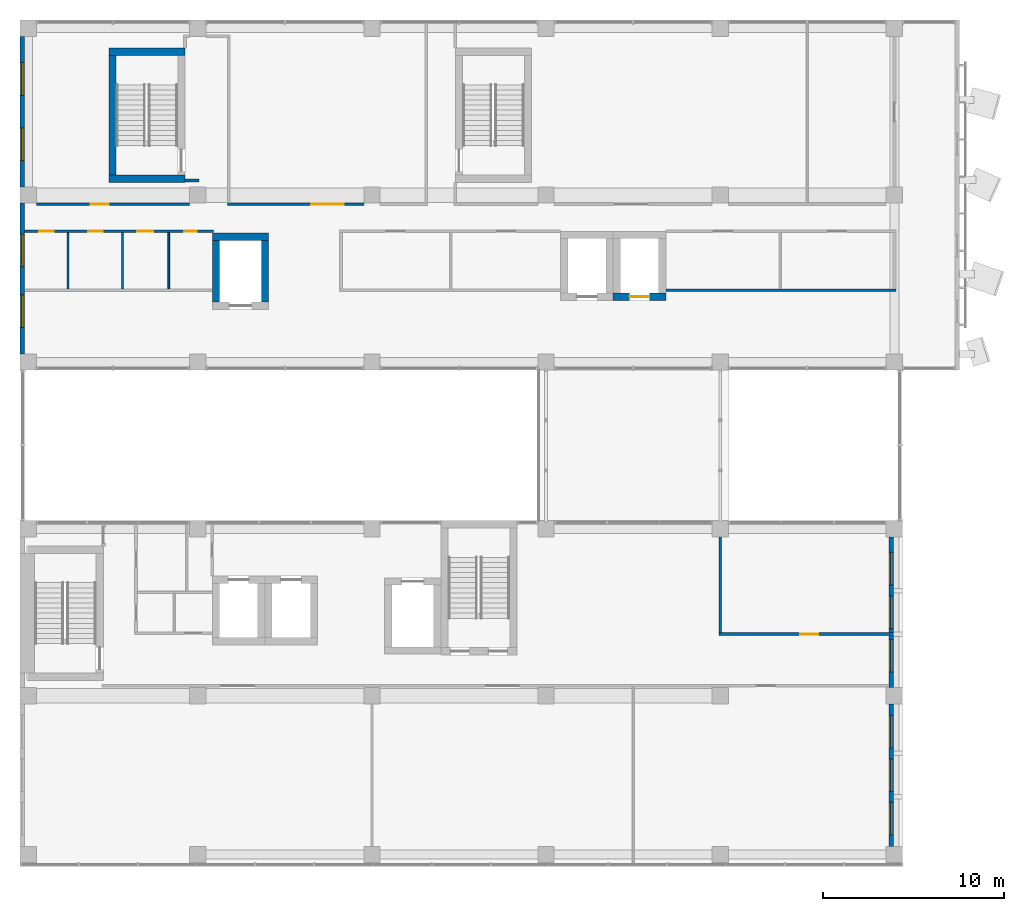
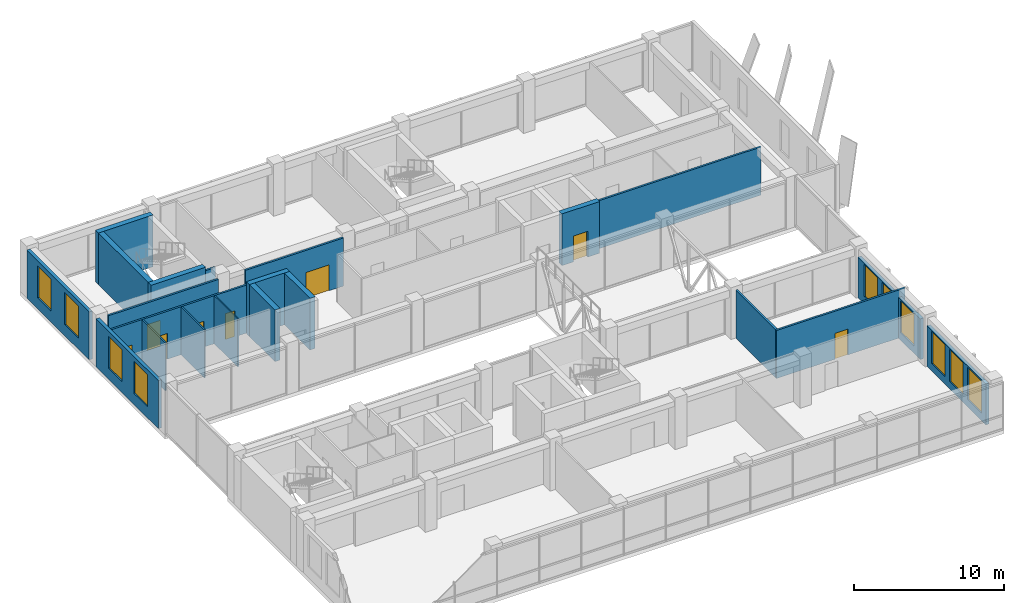
# One storey, part 30 of 38: 21 walls, 10 windows, 8 doors, 18 openings.
"""IFC4 building model written with IfcOpenShell, lengths in metres."""

from ifc_helpers import new_model, si_unit, direction, frame, frame_2d, origin, place, context, subcontext, project, spatial, rectangle, extrude, material, layer, layer_set, layer_usage, type_object, element, fill, save


model = new_model("IFC4")

# Units and contexts
model_context = context("Model", 3, precision=1e-05, world=origin(), true_north=direction((0.0, 1.0)))
body_context = subcontext(model_context, "Body", "Model", "MODEL_VIEW")
ifc_project = project(units=[si_unit("LENGTHUNIT", "METRE"), si_unit("AREAUNIT", "SQUARE_METRE"), si_unit("VOLUMEUNIT", "CUBIC_METRE"), si_unit("PLANEANGLEUNIT", "RADIAN"), si_unit("MASSUNIT", "GRAM", prefix="KILO")], contexts=[model_context])

# Site, building, storey
site_placement = place(None, origin())
site = spatial("IfcSite", under=ifc_project, at=site_placement, CompositionType="ELEMENT")
building_placement = place(site_placement, origin())
building = spatial("IfcBuilding", under=site, at=building_placement, Name="Nzadi Deep Aquarium and Research Tower", CompositionType="ELEMENT")
storey_placement = place(building_placement, frame((0.0, 0.0, 65.5)))
storey = spatial("IfcBuildingStorey", under=building, at=storey_placement, Name="L13", CompositionType="ELEMENT", Elevation=65.5)

# Wall, openings, windows
ifc_material_1 = material(Name="Concrete C35/45", Category="concrete")
ifc_layer_1 = layer(ifc_material_1, 0.14990234375, Category="cladding")
ifc_material_2 = material(Name="Mineral wool insulation")
ifc_layer_2 = layer(ifc_material_2, 0.070068359375, Category="insulation")
ifc_material_3 = material(Name="Gypsum board lining")
ifc_layer_3 = layer(ifc_material_3, 0.030029296875, Category="lining")
ifc_layer_set_1 = layer_set([ifc_layer_1, ifc_layer_2, ifc_layer_3], Name="Concrete C35/45, Mineral wool insulation, Gypsum board lining")
ifc_layer_usage_1 = layer_usage(ifc_layer_set_1, "AXIS2", "POSITIVE", -0.125)
wall_type_1 = type_object("IfcWallType", Name="End wall board-formed concrete 250", PredefinedType="ELEMENTEDWALL", material=ifc_layer_set_1)
wall_1_placement = place(storey_placement, frame((-0.074462890625, 45.550048828125, 0.0), z_axis=(0.0, 0.0, 1.0), x_axis=(0.0, -1.0, 0.0)))
wall_1 = element("IfcWall", 1, at=wall_1_placement, inside=storey, type_object=wall_type_1, material=ifc_layer_usage_1, Name="End wall blade B west L13", PredefinedType="ELEMENTEDWALL", context=body_context, shape_type="SweptSolid", body=[
    extrude(rectangle(XDim=8.300048828125, YDim=0.25, at=frame_2d((4.14990234375, 0.0))), origin(), (0.0, 0.0, 1.0), 3.89990234375),
])
opening_1_placement = place(wall_1_placement, frame((5.050048828125, 0.0, 0.89990234375)))
opening_1 = element("IfcOpeningElement", 2, at=opening_1_placement, cuts=wall_1, Name="Opening WN01", PredefinedType="OPENING", context=body_context, shape_type="SweptSolid", body=[
    extrude(rectangle(XDim=1.800048828125, YDim=2.60009765625, at=frame_2d((0.89990234375, 1.300048828125))), frame((0.0, 0.135009765625, 0.0), z_axis=(0.0, -1.0, 0.0), x_axis=(1.0, 0.0, 0.0)), (0.0, 0.0, 1.0), 0.27001953125),
])
opening_2_placement = place(wall_1_placement, frame((1.449951171875, 0.0, 0.89990234375)))
opening_2 = element("IfcOpeningElement", 3, at=opening_2_placement, cuts=wall_1, Name="Opening WN01", PredefinedType="OPENING", context=body_context, shape_type="SweptSolid", body=[
    extrude(rectangle(XDim=1.800048828125, YDim=2.60009765625, at=frame_2d((0.89990234375, 1.300048828125))), frame((0.0, 0.135009765625, 0.0), z_axis=(0.0, -1.0, 0.0), x_axis=(1.0, 0.0, 0.0)), (0.0, 0.0, 1.0), 0.27001953125),
])
ifc_material_4 = material(Name="Aluminium window, sage tint glazing", Category="aluminium")
window_type_1 = type_object("IfcWindowType", Name="Slot window 1800x2600 sill 900", PartitioningType="SINGLE_PANEL", PredefinedType="WINDOW", material=ifc_material_4)
window_1_placement = place(opening_1_placement, origin())
window_1 = element("IfcWindow", 4, at=window_1_placement, inside=storey, type_object=window_type_1, Name="Slot window L13 BW", OverallHeight=2.60009765625, OverallWidth=1.800048828125, PartitioningType="SINGLE_PANEL", PredefinedType="WINDOW", context=body_context, shape_type="SweptSolid", body=[
    extrude(rectangle(XDim=1.800048828125, YDim=2.60009765625, at=frame_2d((0.89990234375, 1.300048828125))), frame((0.0, 0.030029296875, 0.0), z_axis=(0.0, -1.0, 0.0), x_axis=(1.0, 0.0, 0.0)), (0.0, 0.0, 1.0), 0.06005859375),
])
fill(opening_1, window_1)
window_2_placement = place(opening_2_placement, origin())
window_2 = element("IfcWindow", 5, at=window_2_placement, inside=storey, type_object=window_type_1, Name="Slot window L13 BW", OverallHeight=2.60009765625, OverallWidth=1.800048828125, PartitioningType="SINGLE_PANEL", PredefinedType="WINDOW", context=body_context, shape_type="SweptSolid", body=[
    extrude(rectangle(XDim=1.800048828125, YDim=2.60009765625, at=frame_2d((0.89990234375, 1.300048828125))), frame((0.0, 0.030029296875, 0.0), z_axis=(0.0, -1.0, 0.0), x_axis=(1.0, 0.0, 0.0)), (0.0, 0.0, 1.0), 0.06005859375),
])
fill(opening_2, window_2)

ifc_layer_4 = layer(ifc_material_1, 0.14990234375, Category="cladding")
ifc_layer_5 = layer(ifc_material_2, 0.070068359375, Category="insulation")
ifc_layer_6 = layer(ifc_material_3, 0.030029296875, Category="lining")
ifc_layer_set_2 = layer_set([ifc_layer_4, ifc_layer_5, ifc_layer_6], Name="Concrete C35/45, Mineral wool insulation, Gypsum board lining")
ifc_layer_usage_2 = layer_usage(ifc_layer_set_2, "AXIS2", "POSITIVE", -0.125)
wall_type_2 = type_object("IfcWallType", Name="End wall board-formed concrete 250, 3.30 m high", PredefinedType="ELEMENTEDWALL", material=ifc_layer_set_2)
wall_2_placement = place(storey_placement, frame((47.824951171875, 9.64990234375, 0.0), z_axis=(0.0, 0.0, 1.0), x_axis=(0.0, 1.0, 0.0)))
wall_2 = element("IfcWall", 6, at=wall_2_placement, inside=storey, type_object=wall_type_2, material=ifc_layer_usage_2, Name="End wall blade A east L13", PredefinedType="ELEMENTEDWALL", context=body_context, shape_type="SweptSolid", body=[
    extrude(rectangle(XDim=8.300048828125, YDim=0.25, at=frame_2d((4.14990234375, 0.0))), origin(), (0.0, 0.0, 1.0), 3.300048828125),
])
opening_3_placement = place(wall_2_placement, frame((0.85009765625, 0.0, 0.60009765625)))
opening_3 = element("IfcOpeningElement", 7, at=opening_3_placement, cuts=wall_2, Name="Opening WN06", PredefinedType="OPENING", context=body_context, shape_type="SweptSolid", body=[
    extrude(rectangle(XDim=1.800048828125, YDim=2.60009765625, at=frame_2d((0.89990234375, 1.300048828125))), frame((0.0, 0.135009765625, 0.0), z_axis=(0.0, -1.0, 0.0), x_axis=(1.0, 0.0, 0.0)), (0.0, 0.0, 1.0), 0.27001953125),
])
opening_4_placement = place(wall_2_placement, frame((3.25, 0.0, 0.60009765625)))
opening_4 = element("IfcOpeningElement", 8, at=opening_4_placement, cuts=wall_2, Name="Opening WN06", PredefinedType="OPENING", context=body_context, shape_type="SweptSolid", body=[
    extrude(rectangle(XDim=1.800048828125, YDim=2.60009765625, at=frame_2d((0.89990234375, 1.300048828125))), frame((0.0, 0.135009765625, 0.0), z_axis=(0.0, -1.0, 0.0), x_axis=(1.0, 0.0, 0.0)), (0.0, 0.0, 1.0), 0.27001953125),
])
opening_5_placement = place(wall_2_placement, frame((5.64990234375, 0.0, 0.60009765625)))
opening_5 = element("IfcOpeningElement", 9, at=opening_5_placement, cuts=wall_2, Name="Opening WN06", PredefinedType="OPENING", context=body_context, shape_type="SweptSolid", body=[
    extrude(rectangle(XDim=1.800048828125, YDim=2.60009765625, at=frame_2d((0.89990234375, 1.300048828125))), frame((0.0, 0.135009765625, 0.0), z_axis=(0.0, -1.0, 0.0), x_axis=(1.0, 0.0, 0.0)), (0.0, 0.0, 1.0), 0.27001953125),
])
ifc_material_5 = material(Name="Aluminium window, sage tint glazing", Category="aluminium")
window_type_2 = type_object("IfcWindowType", Name="Slot window 1800x2600 sill 600", PartitioningType="SINGLE_PANEL", PredefinedType="WINDOW", material=ifc_material_5)
window_3_placement = place(opening_3_placement, origin())
window_3 = element("IfcWindow", 10, at=window_3_placement, inside=storey, type_object=window_type_2, Name="Slot window L13 AE", OverallHeight=2.60009765625, OverallWidth=1.800048828125, PartitioningType="SINGLE_PANEL", PredefinedType="WINDOW", context=body_context, shape_type="SweptSolid", body=[
    extrude(rectangle(XDim=1.800048828125, YDim=2.60009765625, at=frame_2d((0.89990234375, 1.300048828125))), frame((0.0, 0.030029296875, 0.0), z_axis=(0.0, -1.0, 0.0), x_axis=(1.0, 0.0, 0.0)), (0.0, 0.0, 1.0), 0.06005859375),
])
fill(opening_3, window_3)
window_4_placement = place(opening_4_placement, origin())
window_4 = element("IfcWindow", 11, at=window_4_placement, inside=storey, type_object=window_type_2, Name="Slot window L13 AE", OverallHeight=2.60009765625, OverallWidth=1.800048828125, PartitioningType="SINGLE_PANEL", PredefinedType="WINDOW", context=body_context, shape_type="SweptSolid", body=[
    extrude(rectangle(XDim=1.800048828125, YDim=2.60009765625, at=frame_2d((0.89990234375, 1.300048828125))), frame((0.0, 0.030029296875, 0.0), z_axis=(0.0, -1.0, 0.0), x_axis=(1.0, 0.0, 0.0)), (0.0, 0.0, 1.0), 0.06005859375),
])
fill(opening_4, window_4)
window_5_placement = place(opening_5_placement, origin())
window_5 = element("IfcWindow", 12, at=window_5_placement, inside=storey, type_object=window_type_2, Name="Slot window L13 AE", OverallHeight=2.60009765625, OverallWidth=1.800048828125, PartitioningType="SINGLE_PANEL", PredefinedType="WINDOW", context=body_context, shape_type="SweptSolid", body=[
    extrude(rectangle(XDim=1.800048828125, YDim=2.60009765625, at=frame_2d((0.89990234375, 1.300048828125))), frame((0.0, 0.030029296875, 0.0), z_axis=(0.0, -1.0, 0.0), x_axis=(1.0, 0.0, 0.0)), (0.0, 0.0, 1.0), 0.06005859375),
])
fill(opening_5, window_5)

ifc_material_6 = material(Name="Graphite aluminium shingle", Category="aluminium")
ifc_layer_7 = layer(ifc_material_6, 0.050048828125, Category="cladding")
ifc_layer_8 = layer(ifc_material_1, 0.10009765625, Category="cladding")
ifc_layer_9 = layer(ifc_material_2, 0.070068359375, Category="insulation")
ifc_layer_10 = layer(ifc_material_3, 0.030029296875, Category="lining")
ifc_layer_set_3 = layer_set([ifc_layer_7, ifc_layer_8, ifc_layer_9, ifc_layer_10], Name="Graphite aluminium shingle, Concrete C35/45, Mineral wool insulation, Gypsum board lining")
ifc_layer_usage_3 = layer_usage(ifc_layer_set_3, "AXIS2", "POSITIVE", -0.125)
wall_type_3 = type_object("IfcWallType", Name="End wall shingle over board-formed concrete 250", PredefinedType="ELEMENTEDWALL", material=ifc_layer_set_3)
wall_3_placement = place(storey_placement, frame((-0.074462890625, 36.35009765625, 0.0), z_axis=(0.0, 0.0, 1.0), x_axis=(0.0, -1.0, 0.0)))
wall_3 = element("IfcWall", 13, at=wall_3_placement, inside=storey, type_object=wall_type_3, material=ifc_layer_usage_3, Name="End wall blade B west L13", PredefinedType="ELEMENTEDWALL", context=body_context, shape_type="SweptSolid", body=[
    extrude(rectangle(XDim=8.300048828125, YDim=0.25, at=frame_2d((4.14990234375, 0.0))), origin(), (0.0, 0.0, 1.0), 3.89990234375),
])
opening_6_placement = place(wall_3_placement, frame((5.050048828125, 0.0, 0.89990234375)))
opening_6 = element("IfcOpeningElement", 14, at=opening_6_placement, cuts=wall_3, Name="Opening WN01", PredefinedType="OPENING", context=body_context, shape_type="SweptSolid", body=[
    extrude(rectangle(XDim=1.800048828125, YDim=2.60009765625, at=frame_2d((0.89990234375, 1.300048828125))), frame((0.0, 0.135009765625, 0.0), z_axis=(0.0, -1.0, 0.0), x_axis=(1.0, 0.0, 0.0)), (0.0, 0.0, 1.0), 0.27001953125),
])
opening_7_placement = place(wall_3_placement, frame((1.699951171875, 0.0, 0.89990234375)))
opening_7 = element("IfcOpeningElement", 15, at=opening_7_placement, cuts=wall_3, Name="Opening WN01", PredefinedType="OPENING", context=body_context, shape_type="SweptSolid", body=[
    extrude(rectangle(XDim=1.800048828125, YDim=2.60009765625, at=frame_2d((0.89990234375, 1.300048828125))), frame((0.0, 0.135009765625, 0.0), z_axis=(0.0, -1.0, 0.0), x_axis=(1.0, 0.0, 0.0)), (0.0, 0.0, 1.0), 0.27001953125),
])
window_6_placement = place(opening_6_placement, origin())
window_6 = element("IfcWindow", 16, at=window_6_placement, inside=storey, type_object=window_type_1, Name="Slot window L13 BW", OverallHeight=2.60009765625, OverallWidth=1.800048828125, PartitioningType="SINGLE_PANEL", PredefinedType="WINDOW", context=body_context, shape_type="SweptSolid", body=[
    extrude(rectangle(XDim=1.800048828125, YDim=2.60009765625, at=frame_2d((0.89990234375, 1.300048828125))), frame((0.0, 0.030029296875, 0.0), z_axis=(0.0, -1.0, 0.0), x_axis=(1.0, 0.0, 0.0)), (0.0, 0.0, 1.0), 0.06005859375),
])
fill(opening_6, window_6)
window_7_placement = place(opening_7_placement, origin())
window_7 = element("IfcWindow", 17, at=window_7_placement, inside=storey, type_object=window_type_1, Name="Slot window L13 BW", OverallHeight=2.60009765625, OverallWidth=1.800048828125, PartitioningType="SINGLE_PANEL", PredefinedType="WINDOW", context=body_context, shape_type="SweptSolid", body=[
    extrude(rectangle(XDim=1.800048828125, YDim=2.60009765625, at=frame_2d((0.89990234375, 1.300048828125))), frame((0.0, 0.030029296875, 0.0), z_axis=(0.0, -1.0, 0.0), x_axis=(1.0, 0.0, 0.0)), (0.0, 0.0, 1.0), 0.06005859375),
])
fill(opening_7, window_7)

ifc_layer_11 = layer(ifc_material_6, 0.050048828125, Category="cladding")
ifc_layer_12 = layer(ifc_material_1, 0.10009765625, Category="cladding")
ifc_layer_13 = layer(ifc_material_2, 0.070068359375, Category="insulation")
ifc_layer_14 = layer(ifc_material_3, 0.030029296875, Category="lining")
ifc_layer_set_4 = layer_set([ifc_layer_11, ifc_layer_12, ifc_layer_13, ifc_layer_14], Name="Graphite aluminium shingle, Concrete C35/45, Mineral wool insulation, Gypsum board lining")
ifc_layer_usage_4 = layer_usage(ifc_layer_set_4, "AXIS2", "POSITIVE", -0.125)
wall_type_4 = type_object("IfcWallType", Name="End wall shingle over board-formed concrete 250, 3.30 m high", PredefinedType="ELEMENTEDWALL", material=ifc_layer_set_4)
wall_4_placement = place(storey_placement, frame((47.824951171875, 0.89990234375, 0.0), z_axis=(0.0, 0.0, 1.0), x_axis=(0.0, 1.0, 0.0)))
wall_4 = element("IfcWall", 18, at=wall_4_placement, inside=storey, type_object=wall_type_4, material=ifc_layer_usage_4, Name="End wall blade A east L13", PredefinedType="ELEMENTEDWALL", context=body_context, shape_type="SweptSolid", body=[
    extrude(rectangle(XDim=7.85009765625, YDim=0.25, at=frame_2d((3.925048828125, 0.0))), origin(), (0.0, 0.0, 1.0), 3.300048828125),
])
opening_8_placement = place(wall_4_placement, frame((0.625, 0.0, 0.60009765625)))
opening_8 = element("IfcOpeningElement", 19, at=opening_8_placement, cuts=wall_4, Name="Opening WN06", PredefinedType="OPENING", context=body_context, shape_type="SweptSolid", body=[
    extrude(rectangle(XDim=1.800048828125, YDim=2.60009765625, at=frame_2d((0.89990234375, 1.300048828125))), frame((0.0, 0.135009765625, 0.0), z_axis=(0.0, -1.0, 0.0), x_axis=(1.0, 0.0, 0.0)), (0.0, 0.0, 1.0), 0.27001953125),
])
opening_9_placement = place(wall_4_placement, frame((3.02490234375, 0.0, 0.60009765625)))
opening_9 = element("IfcOpeningElement", 20, at=opening_9_placement, cuts=wall_4, Name="Opening WN06", PredefinedType="OPENING", context=body_context, shape_type="SweptSolid", body=[
    extrude(rectangle(XDim=1.800048828125, YDim=2.60009765625, at=frame_2d((0.89990234375, 1.300048828125))), frame((0.0, 0.135009765625, 0.0), z_axis=(0.0, -1.0, 0.0), x_axis=(1.0, 0.0, 0.0)), (0.0, 0.0, 1.0), 0.27001953125),
])
opening_10_placement = place(wall_4_placement, frame((5.425048828125, 0.0, 0.60009765625)))
opening_10 = element("IfcOpeningElement", 21, at=opening_10_placement, cuts=wall_4, Name="Opening WN06", PredefinedType="OPENING", context=body_context, shape_type="SweptSolid", body=[
    extrude(rectangle(XDim=1.800048828125, YDim=2.60009765625, at=frame_2d((0.89990234375, 1.300048828125))), frame((0.0, 0.135009765625, 0.0), z_axis=(0.0, -1.0, 0.0), x_axis=(1.0, 0.0, 0.0)), (0.0, 0.0, 1.0), 0.27001953125),
])
window_8_placement = place(opening_8_placement, origin())
window_8 = element("IfcWindow", 22, at=window_8_placement, inside=storey, type_object=window_type_2, Name="Slot window L13 AE", OverallHeight=2.60009765625, OverallWidth=1.800048828125, PartitioningType="SINGLE_PANEL", PredefinedType="WINDOW", context=body_context, shape_type="SweptSolid", body=[
    extrude(rectangle(XDim=1.800048828125, YDim=2.60009765625, at=frame_2d((0.89990234375, 1.300048828125))), frame((0.0, 0.030029296875, 0.0), z_axis=(0.0, -1.0, 0.0), x_axis=(1.0, 0.0, 0.0)), (0.0, 0.0, 1.0), 0.06005859375),
])
fill(opening_8, window_8)
window_9_placement = place(opening_9_placement, origin())
window_9 = element("IfcWindow", 23, at=window_9_placement, inside=storey, type_object=window_type_2, Name="Slot window L13 AE", OverallHeight=2.60009765625, OverallWidth=1.800048828125, PartitioningType="SINGLE_PANEL", PredefinedType="WINDOW", context=body_context, shape_type="SweptSolid", body=[
    extrude(rectangle(XDim=1.800048828125, YDim=2.60009765625, at=frame_2d((0.89990234375, 1.300048828125))), frame((0.0, 0.030029296875, 0.0), z_axis=(0.0, -1.0, 0.0), x_axis=(1.0, 0.0, 0.0)), (0.0, 0.0, 1.0), 0.06005859375),
])
fill(opening_9, window_9)
window_10_placement = place(opening_10_placement, origin())
window_10 = element("IfcWindow", 24, at=window_10_placement, inside=storey, type_object=window_type_2, Name="Slot window L13 AE", OverallHeight=2.60009765625, OverallWidth=1.800048828125, PartitioningType="SINGLE_PANEL", PredefinedType="WINDOW", context=body_context, shape_type="SweptSolid", body=[
    extrude(rectangle(XDim=1.800048828125, YDim=2.60009765625, at=frame_2d((0.89990234375, 1.300048828125))), frame((0.0, 0.030029296875, 0.0), z_axis=(0.0, -1.0, 0.0), x_axis=(1.0, 0.0, 0.0)), (0.0, 0.0, 1.0), 0.06005859375),
])
fill(opening_10, window_10)

# Walls
ifc_material_7 = material(Name="Blockwork masonry", Category="masonry")
ifc_layer_15 = layer(ifc_material_7, 0.10009765625)
ifc_layer_set_5 = layer_set([ifc_layer_15], Name="Blockwork masonry")
wall_type_5 = type_object("IfcWallType", Name="Partition 100 EI 30", PredefinedType="PARTITIONING", material=ifc_layer_set_5)
for number, where, z_axis, x_axis, name in (
    (25, (2.449951171875, 31.625, 0.0), (0.0, 0.0, 1.0), (0.0, 1.0, 0.0), "W-Z1-L13-P004"),
    (26, (5.449951171875, 31.625, 0.0), (0.0, 0.0, 1.0), (0.0, 1.0, 0.0), "W-Z1-L13-P007"),
    (27, (8.0, 31.625, 0.0), (0.0, 0.0, 1.0), (0.0, 1.0, 0.0), "W-Z1-L13-P011"),
):
    element("IfcWall", number, at=place(storey_placement, frame(where, z_axis=z_axis, x_axis=x_axis)), inside=storey, type_object=wall_type_5, Name=name, PredefinedType="PARTITIONING", context=body_context, shape_type="SweptSolid", body=[
        extrude(rectangle(XDim=3.10009765625, YDim=0.10009765625, at=frame_2d((1.550048828125, 0.0))), origin(), (0.0, 0.0, 1.0), 3.89990234375),
    ])

# Wall, openings, doors
ifc_material_8 = material(Name="Blockwork masonry", Category="masonry")
ifc_layer_16 = layer(ifc_material_8, 0.14990234375)
ifc_layer_set_6 = layer_set([ifc_layer_16], Name="Blockwork masonry")
wall_type_6 = type_object("IfcWallType", Name="Partition 150 EI 60", PredefinedType="PARTITIONING", material=ifc_layer_set_6)
wall_5_placement = place(storey_placement, frame((0.055908203125, 34.800048828125, 0.0), z_axis=(0.0, 0.0, 1.0), x_axis=(1.0, 0.0, 0.0)))
wall_5 = element("IfcWall", 28, at=wall_5_placement, inside=storey, type_object=wall_type_6, Name="W-Z1-L13-P002", PredefinedType="PARTITIONING", context=body_context, shape_type="SweptSolid", body=[
    extrude(rectangle(XDim=10.419189453125, YDim=0.14990234375, at=frame_2d((5.20947265625, 0.0))), origin(), (0.0, 0.0, 1.0), 3.89990234375),
])
opening_11_placement = place(wall_5_placement, frame((0.7939453125, 0.0, 0.0)))
opening_11 = element("IfcOpeningElement", 29, at=opening_11_placement, cuts=wall_5, Name="Opening D141010", PredefinedType="OPENING", context=body_context, shape_type="SweptSolid", body=[
    extrude(rectangle(XDim=0.800048828125, YDim=2.10009765625, at=frame_2d((0.39990234375, 1.050048828125))), frame((0.0, 0.0849609375, 0.0), z_axis=(0.0, -1.0, 0.0), x_axis=(1.0, 0.0, 0.0)), (0.0, 0.0, 1.0), 0.169921875),
])
opening_12_placement = place(wall_5_placement, frame((3.493896484375, 0.0, 0.0)))
opening_12 = element("IfcOpeningElement", 30, at=opening_12_placement, cuts=wall_5, Name="Opening D141011", PredefinedType="OPENING", context=body_context, shape_type="SweptSolid", body=[
    extrude(rectangle(XDim=0.800048828125, YDim=2.10009765625, at=frame_2d((0.39990234375, 1.050048828125))), frame((0.0, 0.0849609375, 0.0), z_axis=(0.0, -1.0, 0.0), x_axis=(1.0, 0.0, 0.0)), (0.0, 0.0, 1.0), 0.169921875),
])
opening_13_placement = place(wall_5_placement, frame((6.194091796875, 0.0, 0.0)))
opening_13 = element("IfcOpeningElement", 31, at=opening_13_placement, cuts=wall_5, Name="Opening D141012", PredefinedType="OPENING", context=body_context, shape_type="SweptSolid", body=[
    extrude(rectangle(XDim=0.89990234375, YDim=2.10009765625, at=frame_2d((0.449951171875, 1.050048828125))), frame((0.0, 0.0849609375, 0.0), z_axis=(0.0, -1.0, 0.0), x_axis=(1.0, 0.0, 0.0)), (0.0, 0.0, 1.0), 0.169921875),
])
opening_14_placement = place(wall_5_placement, frame((8.7939453125, 0.0, 0.0)))
opening_14 = element("IfcOpeningElement", 32, at=opening_14_placement, cuts=wall_5, Name="Opening D141013", PredefinedType="OPENING", context=body_context, shape_type="SweptSolid", body=[
    extrude(rectangle(XDim=0.699951171875, YDim=2.10009765625, at=frame_2d((0.35009765625, 1.050048828125))), frame((0.0, 0.0849609375, 0.0), z_axis=(0.0, -1.0, 0.0), x_axis=(1.0, 0.0, 0.0)), (0.0, 0.0, 1.0), 0.169921875),
])
ifc_material_9 = material(Name="Fire-rated steel door", Category="steel")
ifc_layer_17 = layer(ifc_material_9, 0.050048828125)
ifc_layer_set_7 = layer_set([ifc_layer_17], Name="Fire-rated steel door")
door_type_1 = type_object("IfcDoorType", Name="Door 700x2100 EI 60 single", OperationType="SINGLE_SWING_LEFT", PredefinedType="DOOR", material=ifc_layer_set_7)
door_1_placement = place(opening_14_placement, origin())
door_1 = element("IfcDoor", 33, at=door_1_placement, inside=storey, type_object=door_type_1, Name="D141013", OperationType="SINGLE_SWING_LEFT", OverallHeight=2.10009765625, OverallWidth=0.699951171875, PredefinedType="DOOR", context=body_context, shape_type="SweptSolid", body=[
    extrude(rectangle(XDim=0.699951171875, YDim=2.10009765625, at=frame_2d((0.35009765625, 1.050048828125))), frame((0.0, 0.02490234375, 0.0), z_axis=(0.0, -1.0, 0.0), x_axis=(1.0, 0.0, 0.0)), (0.0, 0.0, 1.0), 0.050048828125),
])
fill(opening_14, door_1)
ifc_material_10 = material(Name="Fire-rated steel door", Category="steel")
ifc_layer_18 = layer(ifc_material_10, 0.050048828125)
ifc_layer_set_8 = layer_set([ifc_layer_18], Name="Fire-rated steel door")
door_type_2 = type_object("IfcDoorType", Name="Door 800x2100 EI 60 single", OperationType="SINGLE_SWING_LEFT", PredefinedType="DOOR", material=ifc_layer_set_8)
door_2_placement = place(opening_11_placement, origin())
door_2 = element("IfcDoor", 34, at=door_2_placement, inside=storey, type_object=door_type_2, Name="D141010", OperationType="SINGLE_SWING_RIGHT", OverallHeight=2.10009765625, OverallWidth=0.800048828125, PredefinedType="DOOR", context=body_context, shape_type="SweptSolid", body=[
    extrude(rectangle(XDim=0.800048828125, YDim=2.10009765625, at=frame_2d((0.39990234375, 1.050048828125))), frame((0.0, 0.02490234375, 0.0), z_axis=(0.0, -1.0, 0.0), x_axis=(1.0, 0.0, 0.0)), (0.0, 0.0, 1.0), 0.050048828125),
])
fill(opening_11, door_2)
door_3_placement = place(opening_12_placement, origin())
door_3 = element("IfcDoor", 35, at=door_3_placement, inside=storey, type_object=door_type_2, Name="D141011", OperationType="SINGLE_SWING_LEFT", OverallHeight=2.10009765625, OverallWidth=0.800048828125, PredefinedType="DOOR", context=body_context, shape_type="SweptSolid", body=[
    extrude(rectangle(XDim=0.800048828125, YDim=2.10009765625, at=frame_2d((0.39990234375, 1.050048828125))), frame((0.0, 0.02490234375, 0.0), z_axis=(0.0, -1.0, 0.0), x_axis=(1.0, 0.0, 0.0)), (0.0, 0.0, 1.0), 0.050048828125),
])
fill(opening_12, door_3)
ifc_material_11 = material(Name="Fire-rated steel door", Category="steel")
ifc_layer_19 = layer(ifc_material_11, 0.050048828125)
ifc_layer_set_9 = layer_set([ifc_layer_19], Name="Fire-rated steel door")
door_type_3 = type_object("IfcDoorType", Name="Door 900x2100 EI 60 single", OperationType="SINGLE_SWING_LEFT", PredefinedType="DOOR", material=ifc_layer_set_9)
door_4_placement = place(opening_13_placement, origin())
door_4 = element("IfcDoor", 36, at=door_4_placement, inside=storey, type_object=door_type_3, Name="D141012", OperationType="SINGLE_SWING_LEFT", OverallHeight=2.10009765625, OverallWidth=0.89990234375, PredefinedType="DOOR", context=body_context, shape_type="SweptSolid", body=[
    extrude(rectangle(XDim=0.89990234375, YDim=2.10009765625, at=frame_2d((0.449951171875, 1.050048828125))), frame((0.0, 0.02490234375, 0.0), z_axis=(0.0, -1.0, 0.0), x_axis=(1.0, 0.0, 0.0)), (0.0, 0.0, 1.0), 0.050048828125),
])
fill(opening_13, door_4)

# Wall, opening, door
wall_6_placement = place(storey_placement, frame((0.699951171875, 36.300048828125, 0.0), z_axis=(0.0, 0.0, 1.0), x_axis=(1.0, 0.0, 0.0)))
wall_6 = element("IfcWall", 37, at=wall_6_placement, inside=storey, type_object=wall_type_6, Name="W-Z1-L13-P003", PredefinedType="PARTITIONING", context=body_context, shape_type="SweptSolid", body=[
    extrude(rectangle(XDim=8.449951171875, YDim=0.14990234375, at=frame_2d((4.22509765625, 0.0))), origin(), (0.0, 0.0, 1.0), 3.89990234375),
])
opening_15_placement = place(wall_6_placement, frame((3.0, 0.0, 0.0)))
opening_15 = element("IfcOpeningElement", 38, at=opening_15_placement, cuts=wall_6, Name="Opening D141018", PredefinedType="OPENING", context=body_context, shape_type="SweptSolid", body=[
    extrude(rectangle(XDim=1.0, YDim=2.10009765625, at=frame_2d((0.5, 1.050048828125))), frame((0.0, 0.0849609375, 0.0), z_axis=(0.0, -1.0, 0.0), x_axis=(1.0, 0.0, 0.0)), (0.0, 0.0, 1.0), 0.169921875),
])
ifc_material_12 = material(Name="Fire-rated steel door", Category="steel")
ifc_layer_20 = layer(ifc_material_12, 0.050048828125)
ifc_layer_set_10 = layer_set([ifc_layer_20], Name="Fire-rated steel door")
door_type_4 = type_object("IfcDoorType", Name="Door 1000x2100 EI 60 single", OperationType="SINGLE_SWING_LEFT", PredefinedType="DOOR", material=ifc_layer_set_10)
door_5_placement = place(opening_15_placement, origin())
door_5 = element("IfcDoor", 39, at=door_5_placement, inside=storey, type_object=door_type_4, Name="D141018", OperationType="SINGLE_SWING_RIGHT", OverallHeight=2.10009765625, OverallWidth=1.0, PredefinedType="DOOR", context=body_context, shape_type="SweptSolid", body=[
    extrude(rectangle(XDim=1.0, YDim=2.10009765625, at=frame_2d((0.5, 1.050048828125))), frame((0.0, 0.02490234375, 0.0), z_axis=(0.0, -1.0, 0.0), x_axis=(1.0, 0.0, 0.0)), (0.0, 0.0, 1.0), 0.050048828125),
])
fill(opening_15, door_5)

# Wall
wall_7_placement = place(storey_placement, frame((8.906005859375, 37.60009765625, 0.0), z_axis=(0.0, 0.0, 1.0), x_axis=(1.0, 0.0, 0.0)))
element("IfcWall", 40, at=wall_7_placement, inside=storey, type_object=wall_type_6, Name="W-Z1-L13-P015", PredefinedType="PARTITIONING", context=body_context, shape_type="SweptSolid", body=[
    extrude(rectangle(XDim=0.76904296875, YDim=0.14990234375, at=frame_2d((0.384521484375, 0.0))), origin(), (0.0, 0.0, 1.0), 3.89990234375),
])

# Wall, opening, door
wall_8_placement = place(storey_placement, frame((11.22509765625, 36.300048828125, 0.0), z_axis=(0.0, 0.0, 1.0), x_axis=(1.0, 0.0, 0.0)))
wall_8 = element("IfcWall", 41, at=wall_8_placement, inside=storey, type_object=wall_type_6, Name="W-Z1-L13-P019", PredefinedType="PARTITIONING", context=body_context, shape_type="SweptSolid", body=[
    extrude(rectangle(XDim=7.52490234375, YDim=0.14990234375, at=frame_2d((3.762451171875, 0.0))), origin(), (0.0, 0.0, 1.0), 3.89990234375),
])
opening_16_placement = place(wall_8_placement, frame((4.625, 0.0, 0.0)))
opening_16 = element("IfcOpeningElement", 42, at=opening_16_placement, cuts=wall_8, Name="Opening D141019", PredefinedType="OPENING", context=body_context, shape_type="SweptSolid", body=[
    extrude(rectangle(XDim=1.800048828125, YDim=2.10009765625, at=frame_2d((0.89990234375, 1.050048828125))), frame((0.0, 0.0849609375, 0.0), z_axis=(0.0, -1.0, 0.0), x_axis=(1.0, 0.0, 0.0)), (0.0, 0.0, 1.0), 0.169921875),
])
ifc_material_13 = material(Name="Fire-rated steel door", Category="steel")
ifc_layer_21 = layer(ifc_material_13, 0.050048828125)
ifc_layer_set_11 = layer_set([ifc_layer_21], Name="Fire-rated steel door")
door_type_5 = type_object("IfcDoorType", Name="Door 1800x2100 EI 60 double", OperationType="DOUBLE_DOOR_SINGLE_SWING", PredefinedType="DOOR", material=ifc_layer_set_11)
door_6_placement = place(opening_16_placement, origin())
door_6 = element("IfcDoor", 43, at=door_6_placement, inside=storey, type_object=door_type_5, Name="D141019", OperationType="DOUBLE_DOOR_SINGLE_SWING", OverallHeight=2.10009765625, OverallWidth=1.800048828125, PredefinedType="DOOR", context=body_context, shape_type="SweptSolid", body=[
    extrude(rectangle(XDim=1.800048828125, YDim=2.10009765625, at=frame_2d((0.89990234375, 1.050048828125))), frame((0.0, 0.02490234375, 0.0), z_axis=(0.0, -1.0, 0.0), x_axis=(1.0, 0.0, 0.0)), (0.0, 0.0, 1.0), 0.050048828125),
])
fill(opening_16, door_6)

# Wall
wall_9_placement = place(storey_placement, frame((35.406005859375, 31.550048828125, 0.0), z_axis=(0.0, 0.0, 1.0), x_axis=(1.0, 0.0, 0.0)))
element("IfcWall", 44, at=wall_9_placement, inside=storey, type_object=wall_type_6, Name="W-Z1-L13-P033", PredefinedType="PARTITIONING", context=body_context, shape_type="SweptSolid", body=[
    extrude(rectangle(XDim=12.6689453125, YDim=0.14990234375, at=frame_2d((6.33447265625, 0.0))), origin(), (0.0, 0.0, 1.0), 3.89990234375),
])

# Wall, opening, door
wall_10_placement = place(storey_placement, frame((38.324951171875, 12.60009765625, 0.0), z_axis=(0.0, 0.0, 1.0), x_axis=(1.0, 0.0, 0.0)))
wall_10 = element("IfcWall", 45, at=wall_10_placement, inside=storey, type_object=wall_type_6, Name="W-Z1-L13-P035", PredefinedType="PARTITIONING", context=body_context, shape_type="SweptSolid", body=[
    extrude(rectangle(XDim=9.869140625, YDim=0.14990234375, at=frame_2d((4.9345703125, 0.0))), origin(), (0.0, 0.0, 1.0), 3.89990234375),
])
opening_17_placement = place(wall_10_placement, frame((4.47509765625, 0.0, 0.0)))
opening_17 = element("IfcOpeningElement", 46, at=opening_17_placement, cuts=wall_10, Name="Opening D141009", PredefinedType="OPENING", context=body_context, shape_type="SweptSolid", body=[
    extrude(rectangle(XDim=1.0, YDim=2.10009765625, at=frame_2d((0.5, 1.050048828125))), frame((0.0, 0.0849609375, 0.0), z_axis=(0.0, -1.0, 0.0), x_axis=(1.0, 0.0, 0.0)), (0.0, 0.0, 1.0), 0.169921875),
])
door_7_placement = place(opening_17_placement, origin())
door_7 = element("IfcDoor", 47, at=door_7_placement, inside=storey, type_object=door_type_4, Name="D141009", OperationType="SINGLE_SWING_RIGHT", OverallHeight=2.10009765625, OverallWidth=1.0, PredefinedType="DOOR", context=body_context, shape_type="SweptSolid", body=[
    extrude(rectangle(XDim=1.0, YDim=2.10009765625, at=frame_2d((0.5, 1.050048828125))), frame((0.0, 0.02490234375, 0.0), z_axis=(0.0, -1.0, 0.0), x_axis=(1.0, 0.0, 0.0)), (0.0, 0.0, 1.0), 0.050048828125),
])
fill(opening_17, door_7)

# Walls
wall_11_placement = place(storey_placement, frame((38.39990234375, 12.675048828125, 0.0), z_axis=(0.0, 0.0, 1.0), x_axis=(0.0, 1.0, 0.0)))
element("IfcWall", 48, at=wall_11_placement, inside=storey, type_object=wall_type_6, Name="W-Z1-L13-P036", PredefinedType="PARTITIONING", context=body_context, shape_type="SweptSolid", body=[
    extrude(rectangle(XDim=5.27490234375, YDim=0.14990234375, at=frame_2d((2.637451171875, 0.0))), origin(), (0.0, 0.0, 1.0), 3.89990234375),
])
ifc_material_14 = material(Name="Concrete C35/45", Category="concrete")
ifc_layer_22 = layer(ifc_material_14, 0.39990234375)
ifc_layer_set_12 = layer_set([ifc_layer_22], Name="Concrete C35/45")
wall_type_7 = type_object("IfcWallType", Name="RC core wall 400", PredefinedType="SHEAR", material=ifc_layer_set_12)
for number, where, z_axis, x_axis, name in (
    (49, (4.699951171875, 37.699951171875, 0.0), (0.0, 0.0, 1.0), (1.0, 0.0, 0.0), "W-CORE-ST-Z1-NW-L13-S"),
    (50, (4.699951171875, 44.699951171875, 0.0), (0.0, 0.0, 1.0), (1.0, 0.0, 0.0), "W-CORE-ST-Z1-NW-L13-N"),
):
    element("IfcWall", number, at=place(storey_placement, frame(where, z_axis=z_axis, x_axis=x_axis)), inside=storey, type_object=wall_type_7, Name=name, PredefinedType="SHEAR", context=body_context, shape_type="SweptSolid", body=[
        extrude(rectangle(XDim=4.199951171875, YDim=0.39990234375, at=frame_2d((2.10009765625, 0.0))), origin(), (0.0, 0.0, 1.0), 4.199951171875),
    ])
wall_12_placement = place(storey_placement, frame((4.89990234375, 37.89990234375, 0.0), z_axis=(0.0, 0.0, 1.0), x_axis=(0.0, 1.0, 0.0)))
element("IfcWall", 51, at=wall_12_placement, inside=storey, type_object=wall_type_7, Name="W-CORE-ST-Z1-NW-L13-W", PredefinedType="SHEAR", context=body_context, shape_type="SweptSolid", body=[
    extrude(rectangle(XDim=6.60009765625, YDim=0.39990234375, at=frame_2d((3.300048828125, 0.0))), origin(), (0.0, 0.0, 1.0), 4.199951171875),
])
wall_13_placement = place(storey_placement, frame((10.39990234375, 34.5, 0.0), z_axis=(0.0, 0.0, 1.0), x_axis=(1.0, 0.0, 0.0)))
element("IfcWall", 52, at=wall_13_placement, inside=storey, type_object=wall_type_7, Name="W-CORE-FL2-L13-N", PredefinedType="SHEAR", context=body_context, shape_type="SweptSolid", body=[
    extrude(rectangle(XDim=3.10009765625, YDim=0.39990234375, at=frame_2d((1.550048828125, 0.0))), origin(), (0.0, 0.0, 1.0), 4.199951171875),
])
for number, where, z_axis, x_axis, name in (
    (53, (10.60009765625, 30.89990234375, 0.0), (0.0, 0.0, 1.0), (0.0, 1.0, 0.0), "W-CORE-FL2-L13-W"),
    (54, (13.300048828125, 30.89990234375, 0.0), (0.0, 0.0, 1.0), (0.0, 1.0, 0.0), "W-CORE-FL2-L13-E"),
):
    element("IfcWall", number, at=place(storey_placement, frame(where, z_axis=z_axis, x_axis=x_axis)), inside=storey, type_object=wall_type_7, Name=name, PredefinedType="SHEAR", context=body_context, shape_type="SweptSolid", body=[
        extrude(rectangle(XDim=3.400146484375, YDim=0.39990234375, at=frame_2d((1.7001953125, 0.0))), origin(), (0.0, 0.0, 1.0), 4.199951171875),
    ])

# Wall, opening, door
wall_14_placement = place(storey_placement, frame((32.5, 31.199951171875, 0.0), z_axis=(0.0, 0.0, 1.0), x_axis=(1.0, 0.0, 0.0)))
wall_14 = element("IfcWall", 55, at=wall_14_placement, inside=storey, type_object=wall_type_7, Name="W-CORE-TL4-L13-S", PredefinedType="SHEAR", context=body_context, shape_type="SweptSolid", body=[
    extrude(rectangle(XDim=2.89990234375, YDim=0.39990234375, at=frame_2d((1.449951171875, 0.0))), origin(), (0.0, 0.0, 1.0), 4.199951171875),
])
opening_18_placement = place(wall_14_placement, frame((0.89990234375, 0.0, 0.0)))
opening_18 = element("IfcOpeningElement", 56, at=opening_18_placement, cuts=wall_14, Name="Opening LD-TL4-L13", PredefinedType="OPENING", context=body_context, shape_type="SweptSolid", body=[
    extrude(rectangle(XDim=1.10009765625, YDim=2.10009765625, at=frame_2d((0.550048828125, 1.050048828125))), frame((0.0, 0.2099609375, 0.0), z_axis=(0.0, -1.0, 0.0), x_axis=(1.0, 0.0, 0.0)), (0.0, 0.0, 1.0), 0.419921875),
])
ifc_material_15 = material(Name="Stainless steel 1.4301", Category="steel")
door_type_6 = type_object("IfcDoorType", Name="LANDING DOOR 1100x2100", OperationType="DOUBLE_DOOR_SLIDING", PredefinedType="DOOR", material=ifc_material_15)
door_8_placement = place(opening_18_placement, origin())
door_8 = element("IfcDoor", 57, at=door_8_placement, inside=storey, type_object=door_type_6, Name="Landing door TL4 L13", OperationType="DOUBLE_DOOR_SLIDING", OverallHeight=2.10009765625, OverallWidth=1.10009765625, PredefinedType="DOOR", context=body_context, shape_type="SweptSolid", body=[
    extrude(rectangle(XDim=1.10009765625, YDim=2.10009765625, at=frame_2d((0.550048828125, 1.050048828125))), frame((0.0, 0.02490234375, 0.0), z_axis=(0.0, -1.0, 0.0), x_axis=(1.0, 0.0, 0.0)), (0.0, 0.0, 1.0), 0.050048828125),
])
fill(opening_18, door_8)

save(model, "model.ifc")
